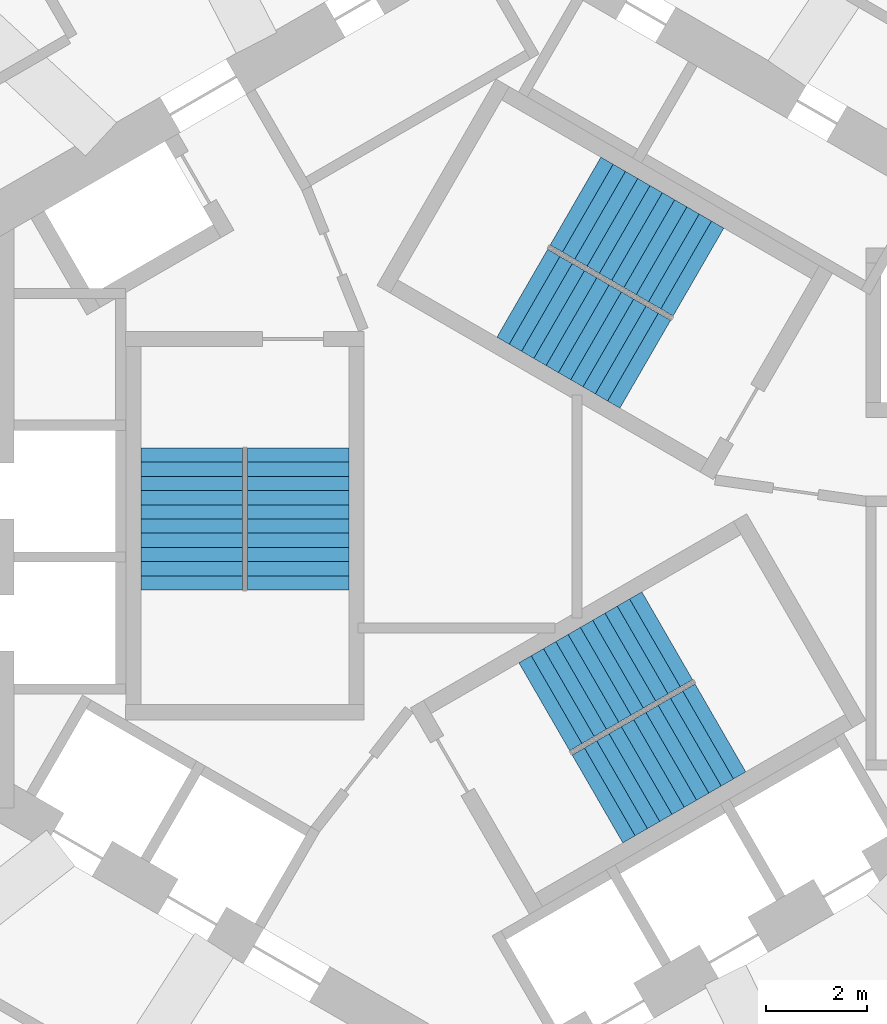
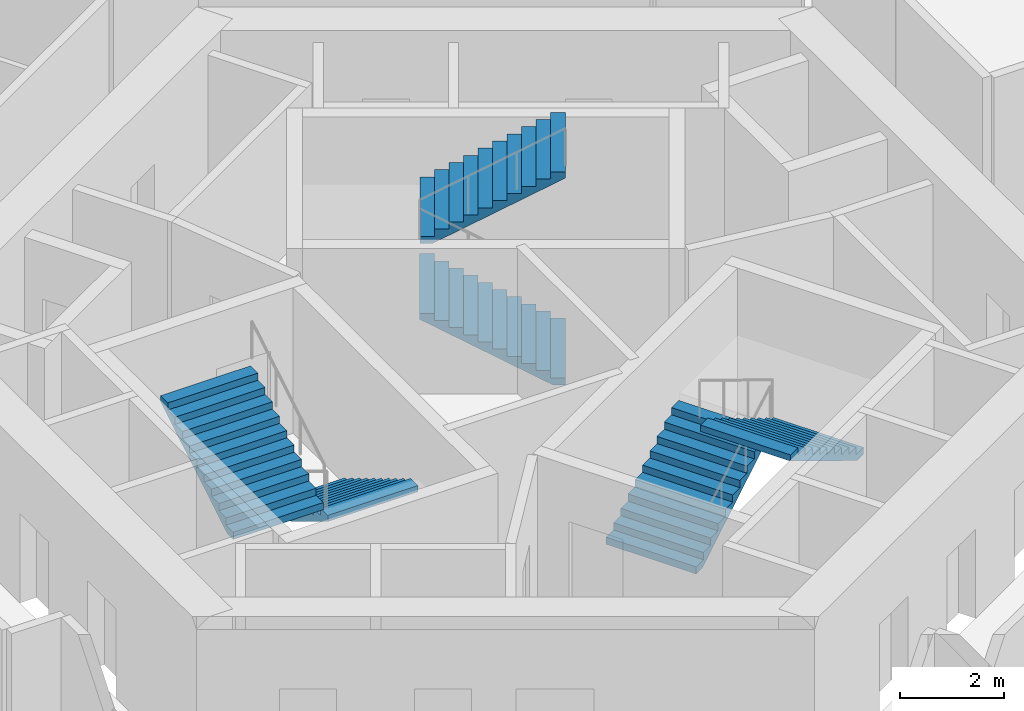
# One storey, part 9 of 11: 6 stair flights, 3 elements without a shape of their own.
"""IFC4 building model written with IfcOpenShell, lengths in metres."""

from ifc_helpers import new_model, si_unit, direction, frame, origin, place, context, subcontext, project, spatial, triangles, source, transform, mapped, material, type_object, element, aggregate, save


model = new_model("IFC4")

# Units and contexts
model_context = context("Model", 3, precision=1e-05, world=origin(), true_north=direction((0.0, 1.0)))
body_context = subcontext(model_context, "Body", "Model", "MODEL_VIEW")
ifc_project = project(units=[si_unit("LENGTHUNIT", "METRE"), si_unit("AREAUNIT", "SQUARE_METRE"), si_unit("VOLUMEUNIT", "CUBIC_METRE"), si_unit("PLANEANGLEUNIT", "RADIAN"), si_unit("MASSUNIT", "GRAM", prefix="KILO")], contexts=[model_context])

# Site, building, storey
site_placement = place(None, origin())
site = spatial("IfcSite", under=ifc_project, at=site_placement, CompositionType="ELEMENT")
building_placement = place(site_placement, origin())
building = spatial("IfcBuilding", under=site, at=building_placement, Name="Vanh Sen Convention Tower", CompositionType="ELEMENT")
storey_placement = place(building_placement, frame((0.0, 0.0, 229.10009765625)))
storey = spatial("IfcBuildingStorey", under=building, at=storey_placement, Name="L56", CompositionType="ELEMENT", Elevation=229.10009765625)

# Stair, stair flights
ifc_material_1 = material(Name="Concrete C50/60", Category="concrete")
stair_type_1 = type_object("IfcStairType", Name="Exit stair ST1 22 risers at 168.2", PredefinedType="HALF_TURN_STAIR", material=ifc_material_1)
stair_1_placement = place(storey_placement, origin())
stair_1 = element("IfcStair", 1, at=stair_1_placement, inside=storey, type_object=stair_type_1, Name="Exit stair ST1 L56", PredefinedType="HALF_TURN_STAIR")
ifc_material_2 = material(Name="Concrete C40/50", Category="concrete")
stair_flight_type = type_object("IfcStairFlightType", Name="Stair flight 2000", PredefinedType="STRAIGHT", material=ifc_material_2)
shared_shape = source(origin(), body_context, "Body", "Tessellation", [
    triangles([(0.24267578125, 1.0, 0.0), (0.0, 1.0, 0.0), (0.0, 1.0, 0.168212890625), (0.280029296875, 1.0, 0.168212890625), (0.280029296875, 1.0, 0.33642578125), (0.56005859375, 1.0, 0.33642578125), (0.56005859375, 1.0, 0.504638671875), (0.840087890625, 1.0, 0.504638671875), (0.840087890625, 1.0, 0.672607421875), (1.1201171875, 1.0, 0.672607421875), (1.1201171875, 1.0, 0.8408203125), (1.39990234375, 1.0, 0.8408203125), (1.39990234375, 1.0, 1.009033203125), (1.679931640625, 1.0, 1.009033203125), (1.679931640625, 1.0, 1.17724609375), (1.9599609375, 1.0, 1.17724609375), (1.9599609375, 1.0, 1.345458984375), (2.239990234375, 1.0, 1.345458984375), (2.239990234375, 1.0, 1.513671875), (2.52001953125, 1.0, 1.513671875), (2.52001953125, 1.0, 1.681884765625), (2.800048828125, 1.0, 1.681884765625), (2.800048828125, 1.0, 1.535888671875), (0.24267578125, -1.0, 0.0), (0.0, -1.0, 0.0), (0.0, -1.0, 0.168212890625), (0.280029296875, -1.0, 0.168212890625), (0.280029296875, -1.0, 0.33642578125), (0.56005859375, -1.0, 0.33642578125), (0.56005859375, -1.0, 0.504638671875), (0.840087890625, -1.0, 0.504638671875), (0.840087890625, -1.0, 0.672607421875), (1.1201171875, -1.0, 0.672607421875), (1.1201171875, -1.0, 0.8408203125), (1.39990234375, -1.0, 0.8408203125), (1.39990234375, -1.0, 1.009033203125), (1.679931640625, -1.0, 1.009033203125), (1.679931640625, -1.0, 1.17724609375), (1.9599609375, -1.0, 1.17724609375), (1.9599609375, -1.0, 1.345458984375), (2.239990234375, -1.0, 1.345458984375), (2.239990234375, -1.0, 1.513671875), (2.52001953125, -1.0, 1.513671875), (2.52001953125, -1.0, 1.681884765625), (2.800048828125, -1.0, 1.681884765625), (2.800048828125, -1.0, 1.535888671875), (0.0, 0.0400390625, 0.0), (0.0, 0.0390625, 0.0), (0.0, 0.0380859375, 0.0), (0.0, 0.037109375, 0.0), (0.0, 0.035888671875, 0.0), (0.0, 0.034912109375, 0.0), (0.0, 0.033935546875, 0.0), (0.0, 0.032958984375, 0.0), (0.0, 0.031982421875, 0.0), (0.0, 0.031005859375, 0.0), (0.0, 0.030029296875, 0.0), (0.0, 0.029052734375, 0.0), (0.0, 0.028076171875, 0.0), (0.0, 0.027099609375, 0.0), (0.0, 0.02587890625, 0.0), (0.0, 0.02490234375, 0.0), (0.0, 0.02392578125, 0.0), (0.0, 0.02294921875, 0.0), (0.0, 0.02197265625, 0.0), (0.0, 0.02099609375, 0.0), (0.0, 0.02001953125, 0.0), (0.0, 0.01904296875, 0.0), (0.0, 0.01806640625, 0.0), (0.0, 0.01708984375, 0.0), (0.0, 0.01611328125, 0.0), (0.0, 0.014892578125, 0.0), (0.0, 0.013916015625, 0.0), (0.0, 0.012939453125, 0.0), (0.0, 0.011962890625, 0.0), (0.0, 0.010986328125, 0.0), (0.0, 0.010009765625, 0.0), (0.0, 0.009033203125, 0.0), (0.0, 0.008056640625, 0.0), (0.0, 0.007080078125, 0.0), (0.0, 0.006103515625, 0.0), (0.0, 0.0048828125, 0.0), (0.0, 0.00390625, 0.0), (0.0, 0.0029296875, 0.0), (0.0, 0.001953125, 0.0), (0.0, 0.0009765625, 0.0), (0.0, 0.0, 0.0), (0.0, -0.0009765625, 0.0), (0.0, -0.001953125, 0.0), (0.0, -0.0029296875, 0.0), (0.0, -0.00390625, 0.0), (0.0, -0.0048828125, 0.0), (0.0, -0.006103515625, 0.0), (0.0, -0.007080078125, 0.0), (0.0, -0.008056640625, 0.0), (0.0, -0.009033203125, 0.0), (0.0, -0.010009765625, 0.0), (0.0, -0.010986328125, 0.0), (0.0, -0.011962890625, 0.0), (0.0, -0.012939453125, 0.0), (0.0, -0.013916015625, 0.0), (0.0, -0.014892578125, 0.0), (0.0, -0.01611328125, 0.0), (0.0, -0.01708984375, 0.0), (0.0, -0.01806640625, 0.0), (0.0, -0.01904296875, 0.0), (0.0, -0.02001953125, 0.0), (0.0, -0.02099609375, 0.0), (0.0, -0.02197265625, 0.0), (0.0, -0.02294921875, 0.0), (0.0, -0.02392578125, 0.0), (0.0, -0.02490234375, 0.0), (0.0, -0.02587890625, 0.0), (0.0, -0.027099609375, 0.0), (0.0, -0.028076171875, 0.0), (0.0, -0.029052734375, 0.0), (0.0, -0.030029296875, 0.0), (0.0, -0.031005859375, 0.0), (0.0, -0.031982421875, 0.0), (0.0, -0.032958984375, 0.0), (0.0, -0.033935546875, 0.0), (0.0, -0.034912109375, 0.0), (0.0, -0.035888671875, 0.0), (0.0, -0.037109375, 0.0), (0.0, -0.0380859375, 0.0), (0.0, -0.0390625, 0.0), (0.0, -0.0400390625, 0.0), (0.0, 0.0400390625, 0.168212890625), (0.0, 0.0390625, 0.168212890625), (0.0, 0.0380859375, 0.168212890625), (0.0, 0.037109375, 0.168212890625), (0.0, 0.035888671875, 0.168212890625), (0.0, 0.034912109375, 0.168212890625), (0.0, 0.033935546875, 0.168212890625), (0.0, 0.032958984375, 0.168212890625), (0.0, 0.031982421875, 0.168212890625), (0.0, 0.031005859375, 0.168212890625), (0.0, 0.030029296875, 0.168212890625), (0.0, 0.029052734375, 0.168212890625), (0.0, 0.028076171875, 0.168212890625), (0.0, 0.027099609375, 0.168212890625), (0.0, 0.02587890625, 0.168212890625), (0.0, 0.02490234375, 0.168212890625), (0.0, 0.02392578125, 0.168212890625), (0.0, 0.02294921875, 0.168212890625), (0.0, 0.02197265625, 0.168212890625), (0.0, 0.02099609375, 0.168212890625), (0.0, 0.02001953125, 0.168212890625), (0.0, 0.01904296875, 0.168212890625), (0.0, 0.01806640625, 0.168212890625), (0.0, 0.01708984375, 0.168212890625), (0.0, 0.01611328125, 0.168212890625), (0.0, 0.014892578125, 0.168212890625), (0.0, 0.013916015625, 0.168212890625), (0.0, 0.012939453125, 0.168212890625), (0.0, 0.011962890625, 0.168212890625), (0.0, 0.010986328125, 0.168212890625), (0.0, 0.010009765625, 0.168212890625), (0.0, 0.009033203125, 0.168212890625), (0.0, 0.008056640625, 0.168212890625), (0.0, 0.007080078125, 0.168212890625), (0.0, 0.006103515625, 0.168212890625), (0.0, 0.0048828125, 0.168212890625), (0.0, 0.00390625, 0.168212890625), (0.0, 0.0029296875, 0.168212890625), (0.0, 0.001953125, 0.168212890625), (0.0, 0.0009765625, 0.168212890625), (0.0, 0.0, 0.168212890625), (0.0, -0.0009765625, 0.168212890625), (0.0, -0.001953125, 0.168212890625), (0.0, -0.0029296875, 0.168212890625), (0.0, -0.00390625, 0.168212890625), (0.0, -0.0048828125, 0.168212890625), (0.0, -0.006103515625, 0.168212890625), (0.0, -0.007080078125, 0.168212890625), (0.0, -0.008056640625, 0.168212890625), (0.0, -0.009033203125, 0.168212890625), (0.0, -0.010009765625, 0.168212890625), (0.0, -0.010986328125, 0.168212890625), (0.0, -0.011962890625, 0.168212890625), (0.0, -0.012939453125, 0.168212890625), (0.0, -0.013916015625, 0.168212890625), (0.0, -0.014892578125, 0.168212890625), (0.0, -0.01611328125, 0.168212890625), (0.0, -0.01708984375, 0.168212890625), (0.0, -0.01806640625, 0.168212890625), (0.0, -0.01904296875, 0.168212890625), (0.0, -0.02001953125, 0.168212890625), (0.0, -0.02099609375, 0.168212890625), (0.0, -0.02197265625, 0.168212890625), (0.0, -0.02294921875, 0.168212890625), (0.0, -0.02392578125, 0.168212890625), (0.0, -0.02490234375, 0.168212890625), (0.0, -0.02587890625, 0.168212890625), (0.0, -0.027099609375, 0.168212890625), (0.0, -0.028076171875, 0.168212890625), (0.0, -0.029052734375, 0.168212890625), (0.0, -0.030029296875, 0.168212890625), (0.0, -0.031005859375, 0.168212890625), (0.0, -0.031982421875, 0.168212890625), (0.0, -0.032958984375, 0.168212890625), (0.0, -0.033935546875, 0.168212890625), (0.0, -0.034912109375, 0.168212890625), (0.0, -0.035888671875, 0.168212890625), (0.0, -0.037109375, 0.168212890625), (0.0, -0.0380859375, 0.168212890625), (0.0, -0.0390625, 0.168212890625), (0.0, -0.0400390625, 0.168212890625), (0.280029296875, 0.0, 0.168212890625), (0.280029296875, 0.0, 0.33642578125), (0.56005859375, 0.0, 0.33642578125), (0.56005859375, 0.0, 0.504638671875), (0.840087890625, 0.0, 0.504638671875), (0.840087890625, 0.0, 0.672607421875), (1.1201171875, 0.0, 0.672607421875), (1.1201171875, 0.0, 0.8408203125), (1.39990234375, 0.0, 0.8408203125), (1.39990234375, 0.0, 1.009033203125), (1.679931640625, 0.0, 1.009033203125), (1.679931640625, 0.0, 1.17724609375), (1.9599609375, 0.0, 1.17724609375), (1.9599609375, 0.0, 1.345458984375), (2.239990234375, 0.0, 1.345458984375), (2.239990234375, 0.0, 1.513671875), (2.52001953125, 0.0, 1.513671875), (2.52001953125, 0.0, 1.681884765625), (2.800048828125, 0.0400390625, 1.681884765625), (2.800048828125, 0.0390625, 1.681884765625), (2.800048828125, 0.0380859375, 1.681884765625), (2.800048828125, 0.037109375, 1.681884765625), (2.800048828125, 0.035888671875, 1.681884765625), (2.800048828125, 0.034912109375, 1.681884765625), (2.800048828125, 0.033935546875, 1.681884765625), (2.800048828125, 0.032958984375, 1.681884765625), (2.800048828125, 0.031982421875, 1.681884765625), (2.800048828125, 0.031005859375, 1.681884765625), (2.800048828125, 0.030029296875, 1.681884765625), (2.800048828125, 0.029052734375, 1.681884765625), (2.800048828125, 0.028076171875, 1.681884765625), (2.800048828125, 0.027099609375, 1.681884765625), (2.800048828125, 0.02587890625, 1.681884765625), (2.800048828125, 0.02490234375, 1.681884765625), (2.800048828125, 0.02392578125, 1.681884765625), (2.800048828125, 0.02294921875, 1.681884765625), (2.800048828125, 0.02197265625, 1.681884765625), (2.800048828125, 0.02099609375, 1.681884765625), (2.800048828125, 0.02001953125, 1.681884765625), (2.800048828125, 0.01904296875, 1.681884765625), (2.800048828125, 0.01806640625, 1.681884765625), (2.800048828125, 0.01708984375, 1.681884765625), (2.800048828125, 0.01611328125, 1.681884765625), (2.800048828125, 0.014892578125, 1.681884765625), (2.800048828125, 0.013916015625, 1.681884765625), (2.800048828125, 0.012939453125, 1.681884765625), (2.800048828125, 0.011962890625, 1.681884765625), (2.800048828125, 0.010986328125, 1.681884765625), (2.800048828125, 0.010009765625, 1.681884765625), (2.800048828125, 0.009033203125, 1.681884765625), (2.800048828125, 0.008056640625, 1.681884765625), (2.800048828125, 0.007080078125, 1.681884765625), (2.800048828125, 0.006103515625, 1.681884765625), (2.800048828125, 0.0048828125, 1.681884765625), (2.800048828125, 0.00390625, 1.681884765625), (2.800048828125, 0.0029296875, 1.681884765625), (2.800048828125, 0.001953125, 1.681884765625), (2.800048828125, 0.0009765625, 1.681884765625), (2.800048828125, 0.0, 1.681884765625), (2.800048828125, -0.0009765625, 1.681884765625), (2.800048828125, -0.001953125, 1.681884765625), (2.800048828125, -0.0029296875, 1.681884765625), (2.800048828125, -0.00390625, 1.681884765625), (2.800048828125, -0.0048828125, 1.681884765625), (2.800048828125, -0.006103515625, 1.681884765625), (2.800048828125, -0.007080078125, 1.681884765625), (2.800048828125, -0.008056640625, 1.681884765625), (2.800048828125, -0.009033203125, 1.681884765625), (2.800048828125, -0.010009765625, 1.681884765625), (2.800048828125, -0.010986328125, 1.681884765625), (2.800048828125, -0.011962890625, 1.681884765625), (2.800048828125, -0.012939453125, 1.681884765625), (2.800048828125, -0.013916015625, 1.681884765625), (2.800048828125, -0.014892578125, 1.681884765625), (2.800048828125, -0.01611328125, 1.681884765625), (2.800048828125, -0.01708984375, 1.681884765625), (2.800048828125, -0.01806640625, 1.681884765625), (2.800048828125, -0.01904296875, 1.681884765625), (2.800048828125, -0.02001953125, 1.681884765625), (2.800048828125, -0.02099609375, 1.681884765625), (2.800048828125, -0.02197265625, 1.681884765625), (2.800048828125, -0.02294921875, 1.681884765625), (2.800048828125, -0.02392578125, 1.681884765625), (2.800048828125, -0.02490234375, 1.681884765625), (2.800048828125, -0.02587890625, 1.681884765625), (2.800048828125, -0.027099609375, 1.681884765625), (2.800048828125, -0.028076171875, 1.681884765625), (2.800048828125, -0.029052734375, 1.681884765625), (2.800048828125, -0.030029296875, 1.681884765625), (2.800048828125, -0.031005859375, 1.681884765625), (2.800048828125, -0.031982421875, 1.681884765625), (2.800048828125, -0.032958984375, 1.681884765625), (2.800048828125, -0.033935546875, 1.681884765625), (2.800048828125, -0.034912109375, 1.681884765625), (2.800048828125, -0.035888671875, 1.681884765625), (2.800048828125, -0.037109375, 1.681884765625), (2.800048828125, -0.0380859375, 1.681884765625), (2.800048828125, -0.0390625, 1.681884765625), (2.800048828125, -0.0400390625, 1.681884765625), (2.800048828125, 0.0400390625, 1.535888671875), (2.800048828125, 0.0390625, 1.535888671875), (2.800048828125, 0.0380859375, 1.535888671875), (2.800048828125, 0.037109375, 1.535888671875), (2.800048828125, 0.035888671875, 1.535888671875), (2.800048828125, 0.034912109375, 1.535888671875), (2.800048828125, 0.033935546875, 1.535888671875), (2.800048828125, 0.032958984375, 1.535888671875), (2.800048828125, 0.031982421875, 1.535888671875), (2.800048828125, 0.031005859375, 1.535888671875), (2.800048828125, 0.030029296875, 1.535888671875), (2.800048828125, 0.029052734375, 1.535888671875), (2.800048828125, 0.028076171875, 1.535888671875), (2.800048828125, 0.027099609375, 1.535888671875), (2.800048828125, 0.02587890625, 1.535888671875), (2.800048828125, 0.02490234375, 1.535888671875), (2.800048828125, 0.02392578125, 1.535888671875), (2.800048828125, 0.02294921875, 1.535888671875), (2.800048828125, 0.02197265625, 1.535888671875), (2.800048828125, 0.02099609375, 1.535888671875), (2.800048828125, 0.02001953125, 1.535888671875), (2.800048828125, 0.01904296875, 1.535888671875), (2.800048828125, 0.01806640625, 1.535888671875), (2.800048828125, 0.01708984375, 1.535888671875), (2.800048828125, 0.01611328125, 1.535888671875), (2.800048828125, 0.014892578125, 1.535888671875), (2.800048828125, 0.013916015625, 1.535888671875), (2.800048828125, 0.012939453125, 1.535888671875), (2.800048828125, 0.011962890625, 1.535888671875), (2.800048828125, 0.010986328125, 1.535888671875), (2.800048828125, 0.010009765625, 1.535888671875), (2.800048828125, 0.009033203125, 1.535888671875), (2.800048828125, 0.008056640625, 1.535888671875), (2.800048828125, 0.007080078125, 1.535888671875), (2.800048828125, 0.006103515625, 1.535888671875), (2.800048828125, 0.0048828125, 1.535888671875), (2.800048828125, 0.00390625, 1.535888671875), (2.800048828125, 0.0029296875, 1.535888671875), (2.800048828125, 0.001953125, 1.535888671875), (2.800048828125, 0.0009765625, 1.535888671875), (2.800048828125, 0.0, 1.535888671875), (2.800048828125, -0.0009765625, 1.535888671875), (2.800048828125, -0.001953125, 1.535888671875), (2.800048828125, -0.0029296875, 1.535888671875), (2.800048828125, -0.00390625, 1.535888671875), (2.800048828125, -0.0048828125, 1.535888671875), (2.800048828125, -0.006103515625, 1.535888671875), (2.800048828125, -0.007080078125, 1.535888671875), (2.800048828125, -0.008056640625, 1.535888671875), (2.800048828125, -0.009033203125, 1.535888671875), (2.800048828125, -0.010009765625, 1.535888671875), (2.800048828125, -0.010986328125, 1.535888671875), (2.800048828125, -0.011962890625, 1.535888671875), (2.800048828125, -0.012939453125, 1.535888671875), (2.800048828125, -0.013916015625, 1.535888671875), (2.800048828125, -0.014892578125, 1.535888671875), (2.800048828125, -0.01611328125, 1.535888671875), (2.800048828125, -0.01708984375, 1.535888671875), (2.800048828125, -0.01806640625, 1.535888671875), (2.800048828125, -0.01904296875, 1.535888671875), (2.800048828125, -0.02001953125, 1.535888671875), (2.800048828125, -0.02099609375, 1.535888671875), (2.800048828125, -0.02197265625, 1.535888671875), (2.800048828125, -0.02294921875, 1.535888671875), (2.800048828125, -0.02392578125, 1.535888671875), (2.800048828125, -0.02490234375, 1.535888671875), (2.800048828125, -0.02587890625, 1.535888671875), (2.800048828125, -0.027099609375, 1.535888671875), (2.800048828125, -0.028076171875, 1.535888671875), (2.800048828125, -0.029052734375, 1.535888671875), (2.800048828125, -0.030029296875, 1.535888671875), (2.800048828125, -0.031005859375, 1.535888671875), (2.800048828125, -0.031982421875, 1.535888671875), (2.800048828125, -0.032958984375, 1.535888671875), (2.800048828125, -0.033935546875, 1.535888671875), (2.800048828125, -0.034912109375, 1.535888671875), (2.800048828125, -0.035888671875, 1.535888671875), (2.800048828125, -0.037109375, 1.535888671875), (2.800048828125, -0.0380859375, 1.535888671875), (2.800048828125, -0.0390625, 1.535888671875), (2.800048828125, -0.0400390625, 1.535888671875), (0.24267578125, 0.0, 0.0)], [[1, 2, 3], [1, 3, 4], [4, 5, 6], [1, 4, 6], [6, 7, 8], [1, 6, 8], [8, 9, 10], [1, 8, 10], [10, 11, 12], [1, 10, 12], [12, 13, 14], [1, 12, 14], [14, 15, 16], [1, 14, 16], [16, 17, 18], [1, 16, 18], [18, 19, 20], [1, 18, 20], [20, 21, 22], [1, 20, 22], [22, 23, 1], [24, 26, 25], [24, 27, 26], [27, 29, 28], [24, 29, 27], [29, 31, 30], [24, 31, 29], [31, 33, 32], [24, 33, 31], [33, 35, 34], [24, 35, 33], [35, 37, 36], [24, 37, 35], [37, 39, 38], [24, 39, 37], [39, 41, 40], [24, 41, 39], [41, 43, 42], [24, 43, 41], [43, 45, 44], [24, 45, 43], [45, 24, 46], [2, 128, 3], [2, 47, 128], [47, 129, 128], [47, 48, 129], [48, 130, 129], [48, 49, 130], [49, 131, 130], [49, 50, 131], [50, 132, 131], [50, 51, 132], [51, 133, 132], [51, 52, 133], [52, 134, 133], [52, 53, 134], [53, 135, 134], [53, 54, 135], [54, 136, 135], [54, 55, 136], [55, 137, 136], [55, 56, 137], [56, 138, 137], [56, 57, 138], [57, 139, 138], [57, 58, 139], [58, 140, 139], [58, 59, 140], [59, 141, 140], [59, 60, 141], [60, 142, 141], [60, 61, 142], [61, 143, 142], [61, 62, 143], [62, 144, 143], [62, 63, 144], [63, 145, 144], [63, 64, 145], [64, 146, 145], [64, 65, 146], [65, 147, 146], [65, 66, 147], [66, 148, 147], [66, 67, 148], [67, 149, 148], [67, 68, 149], [68, 150, 149], [68, 69, 150], [69, 151, 150], [69, 70, 151], [70, 152, 151], [70, 71, 152], [71, 153, 152], [71, 72, 153], [72, 154, 153], [72, 73, 154], [73, 155, 154], [73, 74, 155], [74, 156, 155], [74, 75, 156], [75, 157, 156], [75, 76, 157], [76, 158, 157], [76, 77, 158], [77, 159, 158], [77, 78, 159], [78, 160, 159], [78, 79, 160], [79, 161, 160], [79, 80, 161], [80, 162, 161], [80, 81, 162], [81, 163, 162], [81, 82, 163], [82, 164, 163], [82, 83, 164], [83, 165, 164], [83, 84, 165], [84, 166, 165], [84, 85, 166], [85, 167, 166], [85, 86, 167], [86, 168, 167], [86, 87, 168], [87, 88, 168], [168, 88, 169], [88, 89, 169], [169, 89, 170], [89, 90, 170], [170, 90, 171], [90, 91, 171], [171, 91, 172], [91, 92, 172], [172, 92, 173], [92, 93, 173], [173, 93, 174], [93, 94, 174], [174, 94, 175], [94, 95, 175], [175, 95, 176], [95, 96, 176], [176, 96, 177], [96, 97, 177], [177, 97, 178], [97, 98, 178], [178, 98, 179], [98, 99, 179], [179, 99, 180], [99, 100, 180], [180, 100, 181], [100, 101, 181], [181, 101, 182], [101, 102, 182], [182, 102, 183], [102, 103, 183], [183, 103, 184], [103, 104, 184], [184, 104, 185], [104, 105, 185], [185, 105, 186], [105, 106, 186], [186, 106, 187], [106, 107, 187], [187, 107, 188], [107, 108, 188], [188, 108, 189], [108, 109, 189], [189, 109, 190], [109, 110, 190], [190, 110, 191], [110, 111, 191], [191, 111, 192], [111, 112, 192], [192, 112, 193], [112, 113, 193], [193, 113, 194], [113, 114, 194], [194, 114, 195], [114, 115, 195], [195, 115, 196], [115, 116, 196], [196, 116, 197], [116, 117, 197], [197, 117, 198], [117, 118, 198], [198, 118, 199], [118, 119, 199], [199, 119, 200], [119, 120, 200], [200, 120, 201], [120, 121, 201], [201, 121, 202], [121, 122, 202], [202, 122, 203], [122, 123, 203], [203, 123, 204], [123, 124, 204], [204, 124, 205], [124, 125, 205], [205, 125, 206], [125, 126, 206], [206, 126, 207], [126, 127, 207], [207, 127, 208], [127, 25, 208], [208, 25, 26], [4, 3, 128], [4, 128, 129], [4, 129, 130], [4, 130, 131], [4, 131, 132], [4, 132, 133], [4, 133, 134], [4, 134, 135], [4, 135, 136], [4, 136, 137], [4, 137, 138], [4, 138, 139], [4, 139, 140], [4, 140, 141], [4, 141, 142], [4, 142, 143], [4, 143, 144], [4, 144, 145], [4, 145, 146], [4, 146, 147], [4, 147, 148], [4, 148, 149], [4, 149, 150], [4, 150, 151], [4, 151, 152], [4, 152, 153], [4, 153, 154], [4, 154, 155], [4, 155, 156], [4, 156, 157], [4, 157, 158], [4, 158, 159], [4, 159, 160], [4, 160, 161], [4, 161, 162], [4, 162, 163], [4, 163, 164], [4, 164, 165], [4, 165, 166], [4, 166, 167], [4, 167, 168], [27, 168, 169], [27, 169, 170], [27, 170, 171], [27, 171, 172], [27, 172, 173], [27, 173, 174], [27, 174, 175], [27, 175, 176], [27, 176, 177], [27, 177, 178], [27, 178, 179], [27, 179, 180], [27, 180, 181], [27, 181, 182], [27, 182, 183], [27, 183, 184], [27, 184, 185], [27, 185, 186], [27, 186, 187], [27, 187, 188], [27, 188, 189], [27, 189, 190], [27, 190, 191], [27, 191, 192], [27, 192, 193], [27, 193, 194], [27, 194, 195], [27, 195, 196], [27, 196, 197], [27, 197, 198], [27, 198, 199], [27, 199, 200], [27, 200, 201], [27, 201, 202], [27, 202, 203], [27, 203, 204], [27, 204, 205], [27, 205, 206], [27, 206, 207], [27, 207, 208], [27, 208, 26], [4, 168, 209], [27, 209, 168], [4, 210, 5], [4, 209, 210], [209, 27, 210], [210, 27, 28], [5, 211, 6], [5, 210, 211], [210, 28, 211], [211, 28, 29], [6, 212, 7], [6, 211, 212], [211, 29, 212], [212, 29, 30], [7, 213, 8], [7, 212, 213], [212, 30, 213], [213, 30, 31], [8, 214, 9], [8, 213, 214], [213, 31, 214], [214, 31, 32], [9, 215, 10], [9, 214, 215], [214, 32, 215], [215, 32, 33], [10, 216, 11], [10, 215, 216], [215, 33, 216], [216, 33, 34], [11, 217, 12], [11, 216, 217], [216, 34, 217], [217, 34, 35], [12, 218, 13], [12, 217, 218], [217, 35, 218], [218, 35, 36], [13, 219, 14], [13, 218, 219], [218, 36, 219], [219, 36, 37], [14, 220, 15], [14, 219, 220], [219, 37, 220], [220, 37, 38], [15, 221, 16], [15, 220, 221], [220, 38, 221], [221, 38, 39], [16, 222, 17], [16, 221, 222], [221, 39, 222], [222, 39, 40], [17, 223, 18], [17, 222, 223], [222, 40, 223], [223, 40, 41], [18, 224, 19], [18, 223, 224], [223, 41, 224], [224, 41, 42], [19, 225, 20], [19, 224, 225], [224, 42, 225], [225, 42, 43], [20, 226, 21], [20, 225, 226], [225, 43, 226], [226, 43, 44], [21, 227, 22], [21, 228, 227], [21, 229, 228], [21, 230, 229], [21, 231, 230], [21, 232, 231], [21, 233, 232], [21, 234, 233], [21, 235, 234], [21, 236, 235], [21, 237, 236], [21, 238, 237], [21, 239, 238], [21, 240, 239], [21, 241, 240], [21, 242, 241], [21, 243, 242], [21, 244, 243], [21, 245, 244], [21, 246, 245], [21, 247, 246], [21, 248, 247], [21, 249, 248], [21, 250, 249], [21, 251, 250], [21, 252, 251], [21, 253, 252], [21, 254, 253], [21, 255, 254], [21, 256, 255], [21, 257, 256], [21, 258, 257], [21, 259, 258], [21, 260, 259], [21, 261, 260], [21, 262, 261], [21, 263, 262], [21, 264, 263], [21, 265, 264], [21, 266, 265], [21, 267, 266], [44, 268, 267], [44, 269, 268], [44, 270, 269], [44, 271, 270], [44, 272, 271], [44, 273, 272], [44, 274, 273], [44, 275, 274], [44, 276, 275], [44, 277, 276], [44, 278, 277], [44, 279, 278], [44, 280, 279], [44, 281, 280], [44, 282, 281], [44, 283, 282], [44, 284, 283], [44, 285, 284], [44, 286, 285], [44, 287, 286], [44, 288, 287], [44, 289, 288], [44, 290, 289], [44, 291, 290], [44, 292, 291], [44, 293, 292], [44, 294, 293], [44, 295, 294], [44, 296, 295], [44, 297, 296], [44, 298, 297], [44, 299, 298], [44, 300, 299], [44, 301, 300], [44, 302, 301], [44, 303, 302], [44, 304, 303], [44, 305, 304], [44, 306, 305], [44, 307, 306], [44, 45, 307], [21, 226, 267], [44, 267, 226], [22, 308, 23], [22, 227, 308], [227, 309, 308], [227, 228, 309], [228, 310, 309], [228, 229, 310], [229, 311, 310], [229, 230, 311], [230, 312, 311], [230, 231, 312], [231, 313, 312], [231, 232, 313], [232, 314, 313], [232, 233, 314], [233, 315, 314], [233, 234, 315], [234, 316, 315], [234, 235, 316], [235, 317, 316], [235, 236, 317], [236, 318, 317], [236, 237, 318], [237, 319, 318], [237, 238, 319], [238, 320, 319], [238, 239, 320], [239, 321, 320], [239, 240, 321], [240, 322, 321], [240, 241, 322], [241, 323, 322], [241, 242, 323], [242, 324, 323], [242, 243, 324], [243, 325, 324], [243, 244, 325], [244, 326, 325], [244, 245, 326], [245, 327, 326], [245, 246, 327], [246, 328, 327], [246, 247, 328], [247, 329, 328], [247, 248, 329], [248, 330, 329], [248, 249, 330], [249, 331, 330], [249, 250, 331], [250, 332, 331], [250, 251, 332], [251, 333, 332], [251, 252, 333], [252, 334, 333], [252, 253, 334], [253, 335, 334], [253, 254, 335], [254, 336, 335], [254, 255, 336], [255, 337, 336], [255, 256, 337], [256, 338, 337], [256, 257, 338], [257, 339, 338], [257, 258, 339], [258, 340, 339], [258, 259, 340], [259, 341, 340], [259, 260, 341], [260, 342, 341], [260, 261, 342], [261, 343, 342], [261, 262, 343], [262, 344, 343], [262, 263, 344], [263, 345, 344], [263, 264, 345], [264, 346, 345], [264, 265, 346], [265, 347, 346], [265, 266, 347], [266, 348, 347], [266, 267, 348], [267, 268, 348], [348, 268, 349], [268, 269, 349], [349, 269, 350], [269, 270, 350], [350, 270, 351], [270, 271, 351], [351, 271, 352], [271, 272, 352], [352, 272, 353], [272, 273, 353], [353, 273, 354], [273, 274, 354], [354, 274, 355], [274, 275, 355], [355, 275, 356], [275, 276, 356], [356, 276, 357], [276, 277, 357], [357, 277, 358], [277, 278, 358], [358, 278, 359], [278, 279, 359], [359, 279, 360], [279, 280, 360], [360, 280, 361], [280, 281, 361], [361, 281, 362], [281, 282, 362], [362, 282, 363], [282, 283, 363], [363, 283, 364], [283, 284, 364], [364, 284, 365], [284, 285, 365], [365, 285, 366], [285, 286, 366], [366, 286, 367], [286, 287, 367], [367, 287, 368], [287, 288, 368], [368, 288, 369], [288, 289, 369], [369, 289, 370], [289, 290, 370], [370, 290, 371], [290, 291, 371], [371, 291, 372], [291, 292, 372], [372, 292, 373], [292, 293, 373], [373, 293, 374], [293, 294, 374], [374, 294, 375], [294, 295, 375], [375, 295, 376], [295, 296, 376], [376, 296, 377], [296, 297, 377], [377, 297, 378], [297, 298, 378], [378, 298, 379], [298, 299, 379], [379, 299, 380], [299, 300, 380], [380, 300, 381], [300, 301, 381], [381, 301, 382], [301, 302, 382], [382, 302, 383], [302, 303, 383], [383, 303, 384], [303, 304, 384], [384, 304, 385], [304, 305, 385], [385, 305, 386], [305, 306, 386], [386, 306, 387], [306, 307, 387], [387, 307, 388], [307, 45, 388], [388, 45, 46], [1, 23, 308], [1, 308, 309], [1, 309, 310], [1, 310, 311], [1, 311, 312], [1, 312, 313], [1, 313, 314], [1, 314, 315], [1, 315, 316], [1, 316, 317], [1, 317, 318], [1, 318, 319], [1, 319, 320], [1, 320, 321], [1, 321, 322], [1, 322, 323], [1, 323, 324], [1, 324, 325], [1, 325, 326], [1, 326, 327], [1, 327, 328], [1, 328, 329], [1, 329, 330], [1, 330, 331], [1, 331, 332], [1, 332, 333], [1, 333, 334], [1, 334, 335], [1, 335, 336], [1, 336, 337], [1, 337, 338], [1, 338, 339], [1, 339, 340], [1, 340, 341], [1, 341, 342], [1, 342, 343], [1, 343, 344], [1, 344, 345], [1, 345, 346], [1, 346, 347], [1, 347, 348], [24, 348, 349], [24, 349, 350], [24, 350, 351], [24, 351, 352], [24, 352, 353], [24, 353, 354], [24, 354, 355], [24, 355, 356], [24, 356, 357], [24, 357, 358], [24, 358, 359], [24, 359, 360], [24, 360, 361], [24, 361, 362], [24, 362, 363], [24, 363, 364], [24, 364, 365], [24, 365, 366], [24, 366, 367], [24, 367, 368], [24, 368, 369], [24, 369, 370], [24, 370, 371], [24, 371, 372], [24, 372, 373], [24, 373, 374], [24, 374, 375], [24, 375, 376], [24, 376, 377], [24, 377, 378], [24, 378, 379], [24, 379, 380], [24, 380, 381], [24, 381, 382], [24, 382, 383], [24, 383, 384], [24, 384, 385], [24, 385, 386], [24, 386, 387], [24, 387, 388], [24, 388, 46], [1, 348, 389], [24, 389, 348], [1, 47, 2], [1, 48, 47], [1, 49, 48], [1, 50, 49], [1, 51, 50], [1, 52, 51], [1, 53, 52], [1, 54, 53], [1, 55, 54], [1, 56, 55], [1, 57, 56], [1, 58, 57], [1, 59, 58], [1, 60, 59], [1, 61, 60], [1, 62, 61], [1, 63, 62], [1, 64, 63], [1, 65, 64], [1, 66, 65], [1, 67, 66], [1, 68, 67], [1, 69, 68], [1, 70, 69], [1, 71, 70], [1, 72, 71], [1, 73, 72], [1, 74, 73], [1, 75, 74], [1, 76, 75], [1, 77, 76], [1, 78, 77], [1, 79, 78], [1, 80, 79], [1, 81, 80], [1, 82, 81], [1, 83, 82], [1, 84, 83], [1, 85, 84], [1, 86, 85], [1, 87, 86], [24, 88, 87], [24, 89, 88], [24, 90, 89], [24, 91, 90], [24, 92, 91], [24, 93, 92], [24, 94, 93], [24, 95, 94], [24, 96, 95], [24, 97, 96], [24, 98, 97], [24, 99, 98], [24, 100, 99], [24, 101, 100], [24, 102, 101], [24, 103, 102], [24, 104, 103], [24, 105, 104], [24, 106, 105], [24, 107, 106], [24, 108, 107], [24, 109, 108], [24, 110, 109], [24, 111, 110], [24, 112, 111], [24, 113, 112], [24, 114, 113], [24, 115, 114], [24, 116, 115], [24, 117, 116], [24, 118, 117], [24, 119, 118], [24, 120, 119], [24, 121, 120], [24, 122, 121], [24, 123, 122], [24, 124, 123], [24, 125, 124], [24, 126, 125], [24, 127, 126], [24, 25, 127], [1, 389, 87], [24, 87, 389]], closed=True),
])
stair_flight_1_placement = place(storey_placement, frame((2.94580078125, 2.802490234375, 0.0), z_axis=(0.0, 0.0, 1.0), x_axis=(-0.866025403784, 0.5, 0.0)))
stair_flight_1 = element("IfcStairFlight", 2, at=stair_flight_1_placement, type_object=stair_flight_type, Name="ST1 flight 1", NumberOfRisers=11, NumberOfTreads=10, PredefinedType="STRAIGHT", RiserHeight=0.168181818, TreadLength=0.28, context=body_context, shape_type="MappedRepresentation", body=[
    mapped(shared_shape, transform((0.0, 0.0, 0.0))),
])
stair_flight_2_placement = place(storey_placement, frame((1.571044921875, 6.021240234375, 1.849853515625), z_axis=(0.0, 0.0, 1.0), x_axis=(0.866025403784, -0.5, 0.0)))
stair_flight_2 = element("IfcStairFlight", 3, at=stair_flight_2_placement, type_object=stair_flight_type, Name="ST1 flight 2", NumberOfRisers=11, NumberOfTreads=10, PredefinedType="STRAIGHT", RiserHeight=0.168181818, TreadLength=0.28, context=body_context, shape_type="MappedRepresentation", body=[
    mapped(shared_shape, transform((0.0, 0.0, 0.0))),
])
aggregate(stair_1, [stair_flight_1, stair_flight_2])

stair_type_2 = type_object("IfcStairType", Name="Exit stair ST2 22 risers at 168.2", PredefinedType="HALF_TURN_STAIR", material=ifc_material_1)
stair_2_placement = place(storey_placement, origin())
stair_2 = element("IfcStair", 4, at=stair_2_placement, inside=storey, type_object=stair_type_2, Name="Exit stair ST2 L56", PredefinedType="HALF_TURN_STAIR")
stair_flight_3_placement = place(storey_placement, frame((-3.89990234375, 1.14990234375, 0.0), z_axis=(0.0, 0.0, 1.0), x_axis=(0.0, -1.0, 0.0)))
stair_flight_3 = element("IfcStairFlight", 5, at=stair_flight_3_placement, type_object=stair_flight_type, Name="ST2 flight 1", NumberOfRisers=11, NumberOfTreads=10, PredefinedType="STRAIGHT", RiserHeight=0.168181818, TreadLength=0.28, context=body_context, shape_type="MappedRepresentation", body=[
    mapped(shared_shape, transform((0.0, 0.0, 0.0))),
])
stair_flight_4_placement = place(storey_placement, frame((-6.0, -1.64990234375, 1.849853515625), z_axis=(0.0, 0.0, 1.0), x_axis=(0.0, 1.0, 0.0)))
stair_flight_4 = element("IfcStairFlight", 6, at=stair_flight_4_placement, type_object=stair_flight_type, Name="ST2 flight 2", NumberOfRisers=11, NumberOfTreads=10, PredefinedType="STRAIGHT", RiserHeight=0.168181818, TreadLength=0.28, context=body_context, shape_type="MappedRepresentation", body=[
    mapped(shared_shape, transform((0.0, 0.0, 0.0))),
])
aggregate(stair_2, [stair_flight_3, stair_flight_4])

stair_type_3 = type_object("IfcStairType", Name="Exit stair ST3 22 risers at 168.2", PredefinedType="HALF_TURN_STAIR", material=ifc_material_1)
stair_3_placement = place(storey_placement, origin())
stair_3 = element("IfcStair", 7, at=stair_3_placement, inside=storey, type_object=stair_type_3, Name="Exit stair ST3 L56", PredefinedType="HALF_TURN_STAIR")
stair_flight_5_placement = place(storey_placement, frame((0.9541015625, -3.952392578125, 0.0), z_axis=(0.0, 0.0, 1.0), x_axis=(0.866025403784, 0.5, 0.0)))
stair_flight_5 = element("IfcStairFlight", 8, at=stair_flight_5_placement, type_object=stair_flight_type, Name="ST3 flight 1", NumberOfRisers=11, NumberOfTreads=10, PredefinedType="STRAIGHT", RiserHeight=0.168181818, TreadLength=0.28, context=body_context, shape_type="MappedRepresentation", body=[
    mapped(shared_shape, transform((0.0, 0.0, 0.0))),
])
stair_flight_6_placement = place(storey_placement, frame((4.428955078125, -4.37109375, 1.849853515625), z_axis=(0.0, 0.0, 1.0), x_axis=(-0.866025403784, -0.5, 0.0)))
stair_flight_6 = element("IfcStairFlight", 9, at=stair_flight_6_placement, type_object=stair_flight_type, Name="ST3 flight 2", NumberOfRisers=11, NumberOfTreads=10, PredefinedType="STRAIGHT", RiserHeight=0.168181818, TreadLength=0.28, context=body_context, shape_type="MappedRepresentation", body=[
    mapped(shared_shape, transform((0.0, 0.0, 0.0))),
])
aggregate(stair_3, [stair_flight_5, stair_flight_6])

save(model, "model.ifc")
